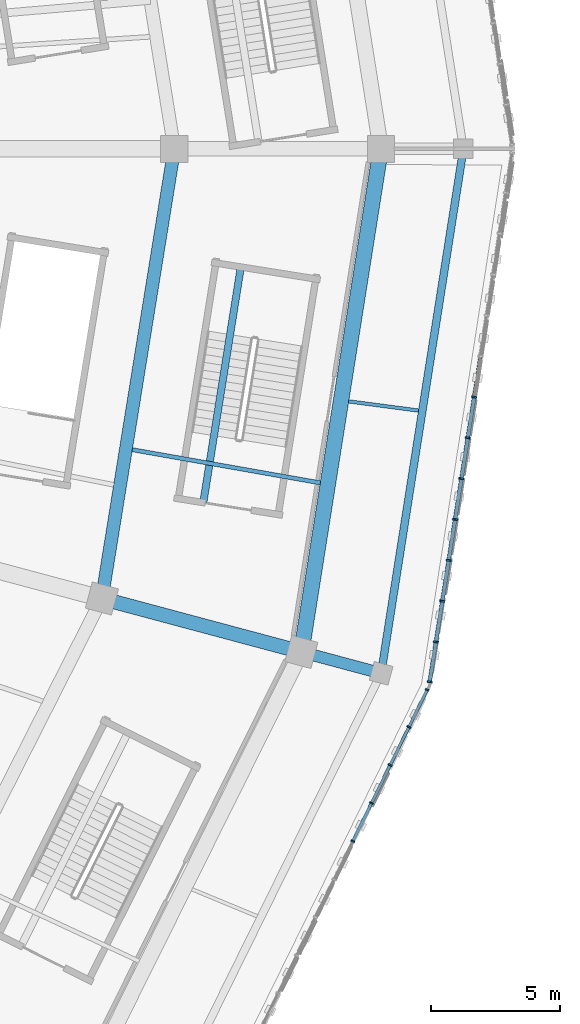
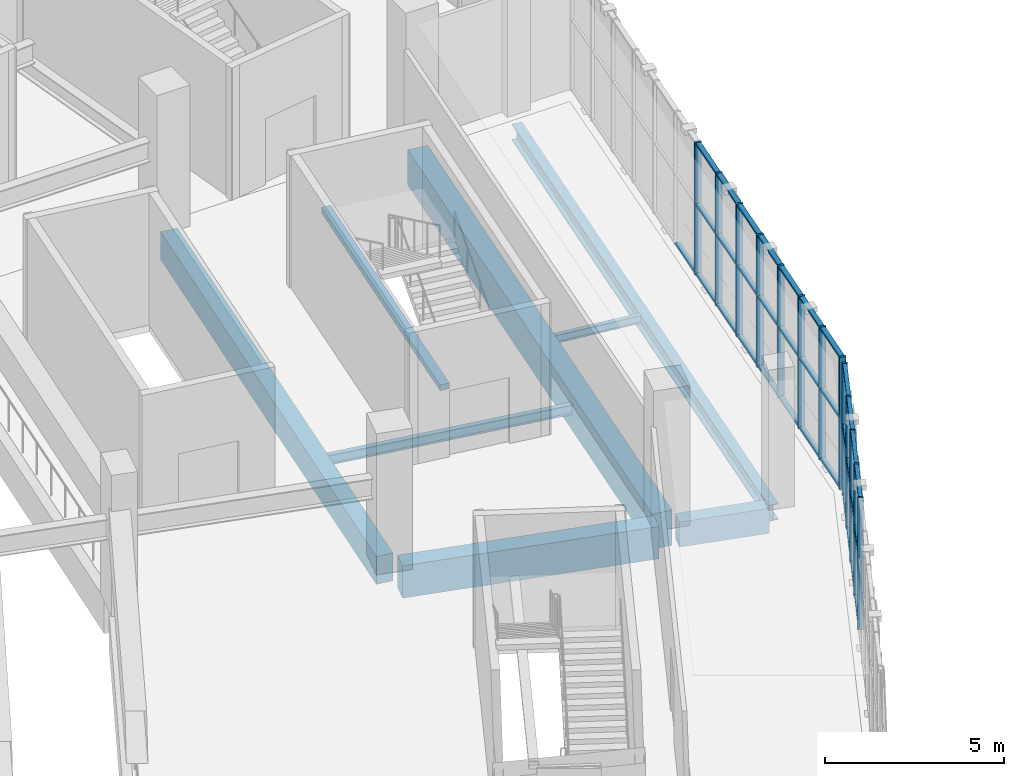
# One storey, part 41 of 179: 47 members, 8 beams, 2 elements without a shape of their own.
"""IFC4 building model written with IfcOpenShell, lengths in metres."""

from ifc_helpers import new_model, si_unit, direction, frame, origin, origin_2d, place, context, subcontext, project, spatial, rectangle, i_section, extrude, material, material_profile, profile_set, type_object, element, aggregate, save


model = new_model("IFC4")

# Units and contexts
model_context = context("Model", 3, precision=1e-05, world=origin(), true_north=direction((0.0, 1.0)))
body_context = subcontext(model_context, "Body", "Model", "MODEL_VIEW")
ifc_project = project(units=[si_unit("LENGTHUNIT", "METRE"), si_unit("AREAUNIT", "SQUARE_METRE"), si_unit("VOLUMEUNIT", "CUBIC_METRE"), si_unit("PLANEANGLEUNIT", "RADIAN"), si_unit("MASSUNIT", "GRAM", prefix="KILO")], contexts=[model_context])

# Site, building, storey
site_placement = place(None, origin())
site = spatial("IfcSite", under=ifc_project, at=site_placement, CompositionType="ELEMENT")
building_placement = place(site_placement, origin())
building = spatial("IfcBuilding", under=site, at=building_placement, Name="Zevraka Park Crest Stadium", CompositionType="ELEMENT")
storey_placement = place(building_placement, frame((0.0, 0.0, 10.199951171875)))
storey = spatial("IfcBuildingStorey", under=building, at=storey_placement, Name="L02", CompositionType="ELEMENT", Elevation=10.199951171875)

# Beams
ifc_material_1 = material(Name="Concrete C40/50", Category="concrete")
ifc_material_profile_1 = material_profile(ifc_material_1, rectangle(XDim=0.550048828125, YDim=1.10009765625, at=origin_2d()), Name="RC 1100x550")
ifc_profile_set_1 = profile_set([ifc_material_profile_1], Name="Concrete C40/50")
beam_type_1 = type_object("IfcBeamType", Name="BG02", PredefinedType="BEAM", material=ifc_profile_set_1)
beam_1_placement = place(storey_placement, frame((191.785888671875, 74.5029296875, -0.56005859375), z_axis=(0.965968812251, -0.258658565986, 0.0), x_axis=(0.258658565986, 0.965968812251, 0.0)))
element("IfcBeam", 1, at=beam_1_placement, inside=storey, type_object=beam_type_1, Name="Radial Girder BG02 L02-CD-23", PredefinedType="BEAM", context=body_context, shape_type="SweptSolid", body=[
    extrude(rectangle(XDim=0.550048828125, YDim=1.10009765625, at=origin_2d()), origin(), (0.0, 0.0, 1.0), 7.39892578125),
])
ifc_material_2 = material(Name="Concrete C40/50", Category="concrete")
ifc_material_profile_2 = material_profile(ifc_material_2, rectangle(XDim=0.449951171875, YDim=0.85009765625, at=origin_2d()), Name="RC 850x450")
ifc_profile_set_2 = profile_set([ifc_material_profile_2], Name="Concrete C40/50")
beam_type_2 = type_object("IfcBeamType", Name="BG03", PredefinedType="BEAM", material=ifc_profile_set_2)
beam_2_placement = place(storey_placement, frame((199.512939453125, 72.43310546875, -0.43505859375), z_axis=(0.965992888406, -0.258568636051, 0.0), x_axis=(0.258568636051, 0.965992888406, 0.0)))
element("IfcBeam", 2, at=beam_2_placement, inside=storey, type_object=beam_type_2, Name="Radial Girder BG03 L02-DE-23", PredefinedType="BEAM", context=body_context, shape_type="SweptSolid", body=[
    extrude(rectangle(XDim=0.449951171875, YDim=0.85009765625, at=origin_2d()), origin(), (0.0, 0.0, 1.0), 2.599365234375),
])

# Curtain wall, members
ifc_material_3 = material(Name="Anodised architectural aluminium and laminated safety glass", Category="aluminium")
curtain_wall_type_1 = type_object("IfcCurtainWallType", Name="CW07", PredefinedType="NOTDEFINED", material=ifc_material_3)
curtain_wall_1_placement = place(storey_placement, origin())
curtain_wall_1 = element("IfcCurtainWall", 3, at=curtain_wall_1_placement, inside=storey, type_object=curtain_wall_type_1, Name="Unitised Ring Curtain Wall CW07 L02-22", PredefinedType="NOTDEFINED")
ifc_material_4 = material(Name="Anodised architectural aluminium", Category="aluminium")
ifc_material_profile_3 = material_profile(ifc_material_4, rectangle(XDim=0.159912109375, YDim=0.06005859375, at=origin_2d()), Name="ALU MULLION 160x60")
ifc_profile_set_3 = profile_set([ifc_material_profile_3], Name="Anodised architectural aluminium")
member_type_1 = type_object("IfcMemberType", Name="CM01", PredefinedType="MULLION", material=ifc_profile_set_3)
member_1_placement = place(storey_placement, frame((201.21435546875, 65.178466796875, 0.0), z_axis=(0.0, 0.0, 1.0), x_axis=(-0.897496768201, 0.441021032455, 0.0)))
member_1 = element("IfcMember", 4, at=member_1_placement, type_object=member_type_1, Name="CW07 mullion 10", PredefinedType="MULLION", context=body_context, shape_type="SweptSolid", body=[
    extrude(rectangle(XDim=0.159912109375, YDim=0.06005859375, at=origin_2d()), origin(), (0.0, 0.0, 1.0), 4.5),
])
member_2_placement = place(storey_placement, frame((201.93896484375, 66.652587890625, 0.0), z_axis=(0.0, 0.0, 1.0), x_axis=(-0.897496768201, 0.441021032455, 0.0)))
member_2 = element("IfcMember", 5, at=member_2_placement, type_object=member_type_1, Name="CW07 mullion 11", PredefinedType="MULLION", context=body_context, shape_type="SweptSolid", body=[
    extrude(rectangle(XDim=0.159912109375, YDim=0.06005859375, at=origin_2d()), origin(), (0.0, 0.0, 1.0), 4.5),
])
member_3_placement = place(storey_placement, frame((202.663330078125, 68.126708984375, 0.0), z_axis=(0.0, 0.0, 1.0), x_axis=(-0.897496768201, 0.441021032455, 0.0)))
member_3 = element("IfcMember", 6, at=member_3_placement, type_object=member_type_1, Name="CW07 mullion 12", PredefinedType="MULLION", context=body_context, shape_type="SweptSolid", body=[
    extrude(rectangle(XDim=0.159912109375, YDim=0.06005859375, at=origin_2d()), origin(), (0.0, 0.0, 1.0), 4.5),
])
member_4_placement = place(storey_placement, frame((203.3876953125, 69.600830078125, 0.0), z_axis=(0.0, 0.0, 1.0), x_axis=(-0.897496768201, 0.441021032455, 0.0)))
member_4 = element("IfcMember", 7, at=member_4_placement, type_object=member_type_1, Name="CW07 mullion 13", PredefinedType="MULLION", context=body_context, shape_type="SweptSolid", body=[
    extrude(rectangle(XDim=0.159912109375, YDim=0.06005859375, at=origin_2d()), origin(), (0.0, 0.0, 1.0), 4.5),
])
member_5_placement = place(storey_placement, frame((204.098876953125, 71.048095703125, 0.0), z_axis=(0.0, 0.0, 1.0), x_axis=(-0.897496768201, 0.441021032455, 0.0)))
member_5 = element("IfcMember", 8, at=member_5_placement, type_object=member_type_1, Name="CW07 mullion 14", PredefinedType="MULLION", context=body_context, shape_type="SweptSolid", body=[
    extrude(rectangle(XDim=0.159912109375, YDim=0.06005859375, at=origin_2d()), origin(), (0.0, 0.0, 1.0), 4.5),
])

ifc_material_5 = material(Name="Anodised architectural aluminium and laminated safety glass", Category="aluminium")
curtain_wall_type_2 = type_object("IfcCurtainWallType", Name="CW06", PredefinedType="NOTDEFINED", material=ifc_material_5)
curtain_wall_2_placement = place(storey_placement, origin())
curtain_wall_2 = element("IfcCurtainWall", 9, at=curtain_wall_2_placement, inside=storey, type_object=curtain_wall_type_2, Name="Unitised Ring Curtain Wall CW06 L02-23", PredefinedType="NOTDEFINED")
ifc_material_6 = material(Name="Anodised architectural aluminium", Category="aluminium")
ifc_material_profile_4 = material_profile(ifc_material_6, rectangle(XDim=0.199951171875, YDim=0.070068359375, at=origin_2d()), Name="ALU MULLION 200x70")
ifc_profile_set_4 = profile_set([ifc_material_profile_4], Name="Anodised architectural aluminium")
member_type_2 = type_object("IfcMemberType", Name="CM03", PredefinedType="MULLION", material=ifc_profile_set_4)
member_6_placement = place(storey_placement, frame((204.1943359375, 71.3505859375, 0.0), z_axis=(0.0, 0.0, 1.0), x_axis=(-0.988028063865, 0.154274252598, 0.0)))
member_6 = element("IfcMember", 10, at=member_6_placement, type_object=member_type_2, Name="CW06 mullion 1", PredefinedType="MULLION", context=body_context, shape_type="SweptSolid", body=[
    extrude(rectangle(XDim=0.199951171875, YDim=0.070068359375, at=origin_2d()), origin(), (0.0, 0.0, 1.0), 4.5),
])
member_7_placement = place(storey_placement, frame((204.43603515625, 72.8974609375, 0.0), z_axis=(0.0, 0.0, 1.0), x_axis=(-0.988028063865, 0.154274252598, 0.0)))
member_7 = element("IfcMember", 11, at=member_7_placement, type_object=member_type_2, Name="CW06 mullion 2", PredefinedType="MULLION", context=body_context, shape_type="SweptSolid", body=[
    extrude(rectangle(XDim=0.199951171875, YDim=0.070068359375, at=origin_2d()), origin(), (0.0, 0.0, 1.0), 4.5),
])
member_8_placement = place(storey_placement, frame((204.682861328125, 74.478759765625, 0.0), z_axis=(0.0, 0.0, 1.0), x_axis=(-0.988028063865, 0.154274252598, 0.0)))
member_8 = element("IfcMember", 12, at=member_8_placement, type_object=member_type_2, Name="CW06 mullion 3", PredefinedType="MULLION", context=body_context, shape_type="SweptSolid", body=[
    extrude(rectangle(XDim=0.199951171875, YDim=0.070068359375, at=origin_2d()), origin(), (0.0, 0.0, 1.0), 4.5),
])
member_9_placement = place(storey_placement, frame((204.9296875, 76.06005859375, 0.0), z_axis=(0.0, 0.0, 1.0), x_axis=(-0.988028063865, 0.154274252598, 0.0)))
member_9 = element("IfcMember", 13, at=member_9_placement, type_object=member_type_2, Name="CW06 mullion 4", PredefinedType="MULLION", context=body_context, shape_type="SweptSolid", body=[
    extrude(rectangle(XDim=0.199951171875, YDim=0.070068359375, at=origin_2d()), origin(), (0.0, 0.0, 1.0), 4.5),
])
member_10_placement = place(storey_placement, frame((205.1767578125, 77.6416015625, 0.0), z_axis=(0.0, 0.0, 1.0), x_axis=(-0.988028063865, 0.154274252598, 0.0)))
member_10 = element("IfcMember", 14, at=member_10_placement, type_object=member_type_2, Name="CW06 mullion 5", PredefinedType="MULLION", context=body_context, shape_type="SweptSolid", body=[
    extrude(rectangle(XDim=0.199951171875, YDim=0.070068359375, at=origin_2d()), origin(), (0.0, 0.0, 1.0), 4.5),
])
member_11_placement = place(storey_placement, frame((205.423583984375, 79.222900390625, 0.0), z_axis=(0.0, 0.0, 1.0), x_axis=(-0.988028063865, 0.154274252598, 0.0)))
member_11 = element("IfcMember", 15, at=member_11_placement, type_object=member_type_2, Name="CW06 mullion 6", PredefinedType="MULLION", context=body_context, shape_type="SweptSolid", body=[
    extrude(rectangle(XDim=0.199951171875, YDim=0.070068359375, at=origin_2d()), origin(), (0.0, 0.0, 1.0), 4.5),
])
member_12_placement = place(storey_placement, frame((205.670654296875, 80.80419921875, 0.0), z_axis=(0.0, 0.0, 1.0), x_axis=(-0.988028063865, 0.154274252598, 0.0)))
member_12 = element("IfcMember", 16, at=member_12_placement, type_object=member_type_2, Name="CW06 mullion 7", PredefinedType="MULLION", context=body_context, shape_type="SweptSolid", body=[
    extrude(rectangle(XDim=0.199951171875, YDim=0.070068359375, at=origin_2d()), origin(), (0.0, 0.0, 1.0), 4.5),
])
member_13_placement = place(storey_placement, frame((205.91748046875, 82.3857421875, 0.0), z_axis=(0.0, 0.0, 1.0), x_axis=(-0.988028063865, 0.154274252598, 0.0)))
member_13 = element("IfcMember", 17, at=member_13_placement, type_object=member_type_2, Name="CW06 mullion 8", PredefinedType="MULLION", context=body_context, shape_type="SweptSolid", body=[
    extrude(rectangle(XDim=0.199951171875, YDim=0.070068359375, at=origin_2d()), origin(), (0.0, 0.0, 1.0), 4.5),
])

# Member
ifc_material_7 = material(Name="Anodised architectural aluminium", Category="aluminium")
ifc_material_profile_5 = material_profile(ifc_material_7, rectangle(XDim=0.1201171875, YDim=0.06005859375, at=origin_2d()), Name="ALU TRANSOM 120x60")
ifc_profile_set_5 = profile_set([ifc_material_profile_5], Name="Anodised architectural aluminium")
member_type_3 = type_object("IfcMemberType", Name="CT01", PredefinedType="USERDEFINED", material=ifc_profile_set_5)
member_14_placement = place(storey_placement, frame((201.227783203125, 65.205322265625, 0.030029296875), z_axis=(0.440908240413, 0.897552184297, 0.0), x_axis=(-0.897552184297, 0.440908240413, 0.0)))
member_14 = element("IfcMember", 18, at=member_14_placement, type_object=member_type_3, Name="CW07 transom 10.1", ObjectType="TRANSOM", PredefinedType="USERDEFINED", context=body_context, shape_type="SweptSolid", body=[
    extrude(rectangle(XDim=0.1201171875, YDim=0.06005859375, at=origin_2d()), origin(), (0.0, 0.0, 1.0), 1.58251953125),
])

member_15_placement = place(storey_placement, frame((201.227783203125, 65.205322265625, 2.400146484375), z_axis=(0.440908240413, 0.897552184297, 0.0), x_axis=(-0.897552184297, 0.440908240413, 0.0)))
member_15 = element("IfcMember", 19, at=member_15_placement, type_object=member_type_3, Name="CW07 transom 10.2", ObjectType="TRANSOM", PredefinedType="USERDEFINED", context=body_context, shape_type="SweptSolid", body=[
    extrude(rectangle(XDim=0.1201171875, YDim=0.06005859375, at=origin_2d()), origin(), (0.0, 0.0, 1.0), 1.58251953125),
])

member_16_placement = place(storey_placement, frame((201.227783203125, 65.205322265625, 4.469970703125), z_axis=(0.440908240413, 0.897552184297, 0.0), x_axis=(-0.897552184297, 0.440908240413, 0.0)))
member_16 = element("IfcMember", 20, at=member_16_placement, type_object=member_type_3, Name="CW07 transom 10.3", ObjectType="TRANSOM", PredefinedType="USERDEFINED", context=body_context, shape_type="SweptSolid", body=[
    extrude(rectangle(XDim=0.1201171875, YDim=0.06005859375, at=origin_2d()), origin(), (0.0, 0.0, 1.0), 1.58251953125),
])

member_17_placement = place(storey_placement, frame((201.9521484375, 66.679443359375, 0.030029296875), z_axis=(0.440908240413, 0.897552184297, 0.0), x_axis=(-0.897552184297, 0.440908240413, 0.0)))
member_17 = element("IfcMember", 21, at=member_17_placement, type_object=member_type_3, Name="CW07 transom 11.1", ObjectType="TRANSOM", PredefinedType="USERDEFINED", context=body_context, shape_type="SweptSolid", body=[
    extrude(rectangle(XDim=0.1201171875, YDim=0.06005859375, at=origin_2d()), origin(), (0.0, 0.0, 1.0), 1.58251953125),
])

member_18_placement = place(storey_placement, frame((201.9521484375, 66.679443359375, 2.400146484375), z_axis=(0.440908240413, 0.897552184297, 0.0), x_axis=(-0.897552184297, 0.440908240413, 0.0)))
member_18 = element("IfcMember", 22, at=member_18_placement, type_object=member_type_3, Name="CW07 transom 11.2", ObjectType="TRANSOM", PredefinedType="USERDEFINED", context=body_context, shape_type="SweptSolid", body=[
    extrude(rectangle(XDim=0.1201171875, YDim=0.06005859375, at=origin_2d()), origin(), (0.0, 0.0, 1.0), 1.58251953125),
])

member_19_placement = place(storey_placement, frame((201.9521484375, 66.679443359375, 4.469970703125), z_axis=(0.440908240413, 0.897552184297, 0.0), x_axis=(-0.897552184297, 0.440908240413, 0.0)))
member_19 = element("IfcMember", 23, at=member_19_placement, type_object=member_type_3, Name="CW07 transom 11.3", ObjectType="TRANSOM", PredefinedType="USERDEFINED", context=body_context, shape_type="SweptSolid", body=[
    extrude(rectangle(XDim=0.1201171875, YDim=0.06005859375, at=origin_2d()), origin(), (0.0, 0.0, 1.0), 1.58251953125),
])

member_20_placement = place(storey_placement, frame((202.676513671875, 68.153564453125, 0.030029296875), z_axis=(0.440908240413, 0.897552184297, 0.0), x_axis=(-0.897552184297, 0.440908240413, 0.0)))
member_20 = element("IfcMember", 24, at=member_20_placement, type_object=member_type_3, Name="CW07 transom 12.1", ObjectType="TRANSOM", PredefinedType="USERDEFINED", context=body_context, shape_type="SweptSolid", body=[
    extrude(rectangle(XDim=0.1201171875, YDim=0.06005859375, at=origin_2d()), origin(), (0.0, 0.0, 1.0), 1.58251953125),
])

member_21_placement = place(storey_placement, frame((202.676513671875, 68.153564453125, 2.400146484375), z_axis=(0.440908240413, 0.897552184297, 0.0), x_axis=(-0.897552184297, 0.440908240413, 0.0)))
member_21 = element("IfcMember", 25, at=member_21_placement, type_object=member_type_3, Name="CW07 transom 12.2", ObjectType="TRANSOM", PredefinedType="USERDEFINED", context=body_context, shape_type="SweptSolid", body=[
    extrude(rectangle(XDim=0.1201171875, YDim=0.06005859375, at=origin_2d()), origin(), (0.0, 0.0, 1.0), 1.58251953125),
])

member_22_placement = place(storey_placement, frame((202.676513671875, 68.153564453125, 4.469970703125), z_axis=(0.440908240413, 0.897552184297, 0.0), x_axis=(-0.897552184297, 0.440908240413, 0.0)))
member_22 = element("IfcMember", 26, at=member_22_placement, type_object=member_type_3, Name="CW07 transom 12.3", ObjectType="TRANSOM", PredefinedType="USERDEFINED", context=body_context, shape_type="SweptSolid", body=[
    extrude(rectangle(XDim=0.1201171875, YDim=0.06005859375, at=origin_2d()), origin(), (0.0, 0.0, 1.0), 1.58251953125),
])

member_23_placement = place(storey_placement, frame((203.40087890625, 69.627685546875, 0.030029296875), z_axis=(0.440912769213, 0.897549959582, 0.0), x_axis=(-0.897549959582, 0.440912769213, 0.0)))
member_23 = element("IfcMember", 27, at=member_23_placement, type_object=member_type_3, Name="CW07 transom 13.1", ObjectType="TRANSOM", PredefinedType="USERDEFINED", context=body_context, shape_type="SweptSolid", body=[
    extrude(rectangle(XDim=0.1201171875, YDim=0.06005859375, at=origin_2d()), origin(), (0.0, 0.0, 1.0), 1.552734375),
])

member_24_placement = place(storey_placement, frame((203.40087890625, 69.627685546875, 2.400146484375), z_axis=(0.440912769213, 0.897549959582, 0.0), x_axis=(-0.897549959582, 0.440912769213, 0.0)))
member_24 = element("IfcMember", 28, at=member_24_placement, type_object=member_type_3, Name="CW07 transom 13.2", ObjectType="TRANSOM", PredefinedType="USERDEFINED", context=body_context, shape_type="SweptSolid", body=[
    extrude(rectangle(XDim=0.1201171875, YDim=0.06005859375, at=origin_2d()), origin(), (0.0, 0.0, 1.0), 1.552734375),
])

member_25_placement = place(storey_placement, frame((203.40087890625, 69.627685546875, 4.469970703125), z_axis=(0.440912769213, 0.897549959582, 0.0), x_axis=(-0.897549959582, 0.440912769213, 0.0)))
member_25 = element("IfcMember", 29, at=member_25_placement, type_object=member_type_3, Name="CW07 transom 13.3", ObjectType="TRANSOM", PredefinedType="USERDEFINED", context=body_context, shape_type="SweptSolid", body=[
    extrude(rectangle(XDim=0.1201171875, YDim=0.06005859375, at=origin_2d()), origin(), (0.0, 0.0, 1.0), 1.552734375),
])

aggregate(curtain_wall_1, [member_1, member_2, member_3, member_4, member_5, member_14, member_15, member_16, member_17, member_18, member_19, member_20, member_21, member_22, member_23, member_24, member_25])

ifc_material_8 = material(Name="Anodised architectural aluminium", Category="aluminium")
ifc_material_profile_6 = material_profile(ifc_material_8, rectangle(XDim=0.14990234375, YDim=0.070068359375, at=origin_2d()), Name="ALU TRANSOM 150x70")
ifc_profile_set_6 = profile_set([ifc_material_profile_6], Name="Anodised architectural aluminium")
member_type_4 = type_object("IfcMemberType", Name="CT03", PredefinedType="USERDEFINED", material=ifc_profile_set_6)
member_26_placement = place(storey_placement, frame((204.19970703125, 71.38525390625, 0.03515625), z_axis=(0.15427727598, 0.988027591779, 0.0), x_axis=(-0.988027591779, 0.15427727598, 0.0)))
member_26 = element("IfcMember", 30, at=member_26_placement, type_object=member_type_4, Name="CW06 transom 1.1", ObjectType="TRANSOM", PredefinedType="USERDEFINED", context=body_context, shape_type="SweptSolid", body=[
    extrude(rectangle(XDim=0.14990234375, YDim=0.070068359375, at=origin_2d()), origin(), (0.0, 0.0, 1.0), 1.495361328125),
])

member_27_placement = place(storey_placement, frame((204.19970703125, 71.38525390625, 2.400146484375), z_axis=(0.15427727598, 0.988027591779, 0.0), x_axis=(-0.988027591779, 0.15427727598, 0.0)))
member_27 = element("IfcMember", 31, at=member_27_placement, type_object=member_type_4, Name="CW06 transom 1.2", ObjectType="TRANSOM", PredefinedType="USERDEFINED", context=body_context, shape_type="SweptSolid", body=[
    extrude(rectangle(XDim=0.14990234375, YDim=0.070068359375, at=origin_2d()), origin(), (0.0, 0.0, 1.0), 1.495361328125),
])

member_28_placement = place(storey_placement, frame((204.19970703125, 71.38525390625, 4.465087890625), z_axis=(0.15427727598, 0.988027591779, 0.0), x_axis=(-0.988027591779, 0.15427727598, 0.0)))
member_28 = element("IfcMember", 32, at=member_28_placement, type_object=member_type_4, Name="CW06 transom 1.3", ObjectType="TRANSOM", PredefinedType="USERDEFINED", context=body_context, shape_type="SweptSolid", body=[
    extrude(rectangle(XDim=0.14990234375, YDim=0.070068359375, at=origin_2d()), origin(), (0.0, 0.0, 1.0), 1.495361328125),
])

member_29_placement = place(storey_placement, frame((204.44140625, 72.931884765625, 0.03515625), z_axis=(0.154250362395, 0.988031793872, 0.0), x_axis=(-0.988031793872, 0.154250362395, 0.0)))
member_29 = element("IfcMember", 33, at=member_29_placement, type_object=member_type_4, Name="CW06 transom 2.1", ObjectType="TRANSOM", PredefinedType="USERDEFINED", context=body_context, shape_type="SweptSolid", body=[
    extrude(rectangle(XDim=0.14990234375, YDim=0.070068359375, at=origin_2d()), origin(), (0.0, 0.0, 1.0), 1.530517578125),
])

member_30_placement = place(storey_placement, frame((204.44140625, 72.931884765625, 2.400146484375), z_axis=(0.154250362395, 0.988031793872, 0.0), x_axis=(-0.988031793872, 0.154250362395, 0.0)))
member_30 = element("IfcMember", 34, at=member_30_placement, type_object=member_type_4, Name="CW06 transom 2.2", ObjectType="TRANSOM", PredefinedType="USERDEFINED", context=body_context, shape_type="SweptSolid", body=[
    extrude(rectangle(XDim=0.14990234375, YDim=0.070068359375, at=origin_2d()), origin(), (0.0, 0.0, 1.0), 1.530517578125),
])

member_31_placement = place(storey_placement, frame((204.44140625, 72.931884765625, 4.465087890625), z_axis=(0.154250362395, 0.988031793872, 0.0), x_axis=(-0.988031793872, 0.154250362395, 0.0)))
member_31 = element("IfcMember", 35, at=member_31_placement, type_object=member_type_4, Name="CW06 transom 2.3", ObjectType="TRANSOM", PredefinedType="USERDEFINED", context=body_context, shape_type="SweptSolid", body=[
    extrude(rectangle(XDim=0.14990234375, YDim=0.070068359375, at=origin_2d()), origin(), (0.0, 0.0, 1.0), 1.530517578125),
])

member_32_placement = place(storey_placement, frame((204.688232421875, 74.513427734375, 0.03515625), z_axis=(0.154250362395, 0.988031793872, 0.0), x_axis=(-0.988031793872, 0.154250362395, 0.0)))
member_32 = element("IfcMember", 36, at=member_32_placement, type_object=member_type_4, Name="CW06 transom 3.1", ObjectType="TRANSOM", PredefinedType="USERDEFINED", context=body_context, shape_type="SweptSolid", body=[
    extrude(rectangle(XDim=0.14990234375, YDim=0.070068359375, at=origin_2d()), origin(), (0.0, 0.0, 1.0), 1.530517578125),
])

member_33_placement = place(storey_placement, frame((204.688232421875, 74.513427734375, 2.400146484375), z_axis=(0.154250362395, 0.988031793872, 0.0), x_axis=(-0.988031793872, 0.154250362395, 0.0)))
member_33 = element("IfcMember", 37, at=member_33_placement, type_object=member_type_4, Name="CW06 transom 3.2", ObjectType="TRANSOM", PredefinedType="USERDEFINED", context=body_context, shape_type="SweptSolid", body=[
    extrude(rectangle(XDim=0.14990234375, YDim=0.070068359375, at=origin_2d()), origin(), (0.0, 0.0, 1.0), 1.530517578125),
])

member_34_placement = place(storey_placement, frame((204.688232421875, 74.513427734375, 4.465087890625), z_axis=(0.154250362395, 0.988031793872, 0.0), x_axis=(-0.988031793872, 0.154250362395, 0.0)))
member_34 = element("IfcMember", 38, at=member_34_placement, type_object=member_type_4, Name="CW06 transom 3.3", ObjectType="TRANSOM", PredefinedType="USERDEFINED", context=body_context, shape_type="SweptSolid", body=[
    extrude(rectangle(XDim=0.14990234375, YDim=0.070068359375, at=origin_2d()), origin(), (0.0, 0.0, 1.0), 1.530517578125),
])

member_35_placement = place(storey_placement, frame((204.93505859375, 76.0947265625, 0.03515625), z_axis=(0.154406075629, 0.988007471535, 0.0), x_axis=(-0.988007471535, 0.154406075629, 0.0)))
member_35 = element("IfcMember", 39, at=member_35_placement, type_object=member_type_4, Name="CW06 transom 4.1", ObjectType="TRANSOM", PredefinedType="USERDEFINED", context=body_context, shape_type="SweptSolid", body=[
    extrude(rectangle(XDim=0.14990234375, YDim=0.070068359375, at=origin_2d()), origin(), (0.0, 0.0, 1.0), 1.530517578125),
])

member_36_placement = place(storey_placement, frame((204.93505859375, 76.0947265625, 2.400146484375), z_axis=(0.154406075629, 0.988007471535, 0.0), x_axis=(-0.988007471535, 0.154406075629, 0.0)))
member_36 = element("IfcMember", 40, at=member_36_placement, type_object=member_type_4, Name="CW06 transom 4.2", ObjectType="TRANSOM", PredefinedType="USERDEFINED", context=body_context, shape_type="SweptSolid", body=[
    extrude(rectangle(XDim=0.14990234375, YDim=0.070068359375, at=origin_2d()), origin(), (0.0, 0.0, 1.0), 1.530517578125),
])

member_37_placement = place(storey_placement, frame((204.93505859375, 76.0947265625, 4.465087890625), z_axis=(0.154406075629, 0.988007471535, 0.0), x_axis=(-0.988007471535, 0.154406075629, 0.0)))
member_37 = element("IfcMember", 41, at=member_37_placement, type_object=member_type_4, Name="CW06 transom 4.3", ObjectType="TRANSOM", PredefinedType="USERDEFINED", context=body_context, shape_type="SweptSolid", body=[
    extrude(rectangle(XDim=0.14990234375, YDim=0.070068359375, at=origin_2d()), origin(), (0.0, 0.0, 1.0), 1.530517578125),
])

member_38_placement = place(storey_placement, frame((205.18212890625, 77.676025390625, 0.03515625), z_axis=(0.154250362395, 0.988031793872, 0.0), x_axis=(-0.988031793872, 0.154250362395, 0.0)))
member_38 = element("IfcMember", 42, at=member_38_placement, type_object=member_type_4, Name="CW06 transom 5.1", ObjectType="TRANSOM", PredefinedType="USERDEFINED", context=body_context, shape_type="SweptSolid", body=[
    extrude(rectangle(XDim=0.14990234375, YDim=0.070068359375, at=origin_2d()), origin(), (0.0, 0.0, 1.0), 1.530517578125),
])

member_39_placement = place(storey_placement, frame((205.18212890625, 77.676025390625, 2.400146484375), z_axis=(0.154250362395, 0.988031793872, 0.0), x_axis=(-0.988031793872, 0.154250362395, 0.0)))
member_39 = element("IfcMember", 43, at=member_39_placement, type_object=member_type_4, Name="CW06 transom 5.2", ObjectType="TRANSOM", PredefinedType="USERDEFINED", context=body_context, shape_type="SweptSolid", body=[
    extrude(rectangle(XDim=0.14990234375, YDim=0.070068359375, at=origin_2d()), origin(), (0.0, 0.0, 1.0), 1.530517578125),
])

member_40_placement = place(storey_placement, frame((205.18212890625, 77.676025390625, 4.465087890625), z_axis=(0.154250362395, 0.988031793872, 0.0), x_axis=(-0.988031793872, 0.154250362395, 0.0)))
member_40 = element("IfcMember", 44, at=member_40_placement, type_object=member_type_4, Name="CW06 transom 5.3", ObjectType="TRANSOM", PredefinedType="USERDEFINED", context=body_context, shape_type="SweptSolid", body=[
    extrude(rectangle(XDim=0.14990234375, YDim=0.070068359375, at=origin_2d()), origin(), (0.0, 0.0, 1.0), 1.530517578125),
])

member_41_placement = place(storey_placement, frame((205.428955078125, 79.257568359375, 0.03515625), z_axis=(0.154250362395, 0.988031793872, 0.0), x_axis=(-0.988031793872, 0.154250362395, 0.0)))
member_41 = element("IfcMember", 45, at=member_41_placement, type_object=member_type_4, Name="CW06 transom 6.1", ObjectType="TRANSOM", PredefinedType="USERDEFINED", context=body_context, shape_type="SweptSolid", body=[
    extrude(rectangle(XDim=0.14990234375, YDim=0.070068359375, at=origin_2d()), origin(), (0.0, 0.0, 1.0), 1.530517578125),
])

member_42_placement = place(storey_placement, frame((205.428955078125, 79.257568359375, 2.400146484375), z_axis=(0.154250362395, 0.988031793872, 0.0), x_axis=(-0.988031793872, 0.154250362395, 0.0)))
member_42 = element("IfcMember", 46, at=member_42_placement, type_object=member_type_4, Name="CW06 transom 6.2", ObjectType="TRANSOM", PredefinedType="USERDEFINED", context=body_context, shape_type="SweptSolid", body=[
    extrude(rectangle(XDim=0.14990234375, YDim=0.070068359375, at=origin_2d()), origin(), (0.0, 0.0, 1.0), 1.530517578125),
])

member_43_placement = place(storey_placement, frame((205.428955078125, 79.257568359375, 4.465087890625), z_axis=(0.154250362395, 0.988031793872, 0.0), x_axis=(-0.988031793872, 0.154250362395, 0.0)))
member_43 = element("IfcMember", 47, at=member_43_placement, type_object=member_type_4, Name="CW06 transom 6.3", ObjectType="TRANSOM", PredefinedType="USERDEFINED", context=body_context, shape_type="SweptSolid", body=[
    extrude(rectangle(XDim=0.14990234375, YDim=0.070068359375, at=origin_2d()), origin(), (0.0, 0.0, 1.0), 1.530517578125),
])

member_44_placement = place(storey_placement, frame((205.676025390625, 80.8388671875, 0.03515625), z_axis=(0.154250362395, 0.988031793872, 0.0), x_axis=(-0.988031793872, 0.154250362395, 0.0)))
member_44 = element("IfcMember", 48, at=member_44_placement, type_object=member_type_4, Name="CW06 transom 7.1", ObjectType="TRANSOM", PredefinedType="USERDEFINED", context=body_context, shape_type="SweptSolid", body=[
    extrude(rectangle(XDim=0.14990234375, YDim=0.070068359375, at=origin_2d()), origin(), (0.0, 0.0, 1.0), 1.530517578125),
])

member_45_placement = place(storey_placement, frame((205.676025390625, 80.8388671875, 2.400146484375), z_axis=(0.154250362395, 0.988031793872, 0.0), x_axis=(-0.988031793872, 0.154250362395, 0.0)))
member_45 = element("IfcMember", 49, at=member_45_placement, type_object=member_type_4, Name="CW06 transom 7.2", ObjectType="TRANSOM", PredefinedType="USERDEFINED", context=body_context, shape_type="SweptSolid", body=[
    extrude(rectangle(XDim=0.14990234375, YDim=0.070068359375, at=origin_2d()), origin(), (0.0, 0.0, 1.0), 1.530517578125),
])

member_46_placement = place(storey_placement, frame((205.676025390625, 80.8388671875, 4.465087890625), z_axis=(0.154250362395, 0.988031793872, 0.0), x_axis=(-0.988031793872, 0.154250362395, 0.0)))
member_46 = element("IfcMember", 50, at=member_46_placement, type_object=member_type_4, Name="CW06 transom 7.3", ObjectType="TRANSOM", PredefinedType="USERDEFINED", context=body_context, shape_type="SweptSolid", body=[
    extrude(rectangle(XDim=0.14990234375, YDim=0.070068359375, at=origin_2d()), origin(), (0.0, 0.0, 1.0), 1.530517578125),
])

member_47_placement = place(storey_placement, frame((205.9228515625, 82.420166015625, 0.03515625), z_axis=(0.154226055514, 0.988035588327, 0.0), x_axis=(-0.988035588327, 0.154226055514, 0.0)))
member_47 = element("IfcMember", 51, at=member_47_placement, type_object=member_type_4, Name="CW06 transom 8.1", ObjectType="TRANSOM", PredefinedType="USERDEFINED", context=body_context, shape_type="SweptSolid", body=[
    extrude(rectangle(XDim=0.14990234375, YDim=0.070068359375, at=origin_2d()), origin(), (0.0, 0.0, 1.0), 1.53076171875),
])

aggregate(curtain_wall_2, [member_6, member_7, member_8, member_9, member_10, member_11, member_12, member_13, member_26, member_27, member_28, member_29, member_30, member_31, member_32, member_33, member_34, member_35, member_36, member_37, member_38, member_39, member_40, member_41, member_42, member_43, member_44, member_45, member_46, member_47])

# Beams
ifc_material_9 = material(Name="Concrete C40/50", Category="concrete")
ifc_material_profile_7 = material_profile(ifc_material_9, rectangle(XDim=0.60009765625, YDim=1.199951171875, at=origin_2d()), Name="RC 1200x600")
ifc_profile_set_7 = profile_set([ifc_material_profile_7], Name="Concrete C40/50")
beam_type_3 = type_object("IfcBeamType", Name="RB01", PredefinedType="BEAM", material=ifc_profile_set_7)
beam_3_placement = place(storey_placement, frame((199.281982421875, 72.885986328125, -0.60986328125), z_axis=(0.155972486086, 0.987761400129, 0.0), x_axis=(-0.987761400129, 0.155972486086, 0.0)))
element("IfcBeam", 52, at=beam_3_placement, inside=storey, type_object=beam_type_3, Name="Ring Beam RB01 L02-D-23", PredefinedType="BEAM", context=body_context, shape_type="SweptSolid", body=[
    extrude(rectangle(XDim=0.60009765625, YDim=1.199951171875, at=origin_2d()), origin(), (0.0, 0.0, 1.0), 18.97119140625),
])
ifc_material_10 = material(Name="Concrete C40/50", Category="concrete")
ifc_material_profile_8 = material_profile(ifc_material_10, rectangle(XDim=0.5, YDim=0.949951171875, at=origin_2d()), Name="RC 950x500")
ifc_profile_set_8 = profile_set([ifc_material_profile_8], Name="Concrete C40/50")
beam_type_4 = type_object("IfcBeamType", Name="RB02", PredefinedType="BEAM", material=ifc_profile_set_8)
beam_4_placement = place(storey_placement, frame((191.555908203125, 74.9560546875, -0.48486328125), z_axis=(0.158975112778, 0.987282590507, 0.0), x_axis=(-0.987282590507, 0.158975112778, 0.0)))
element("IfcBeam", 53, at=beam_4_placement, inside=storey, type_object=beam_type_4, Name="Ring Beam RB02 L02-C-23", PredefinedType="BEAM", context=body_context, shape_type="SweptSolid", body=[
    extrude(rectangle(XDim=0.5, YDim=0.949951171875, at=origin_2d()), origin(), (0.0, 0.0, 1.0), 16.883544921875),
])
ifc_material_11 = material(Name="Steel S355", Category="steel")
ifc_material_profile_9 = material_profile(ifc_material_11, i_section(OverallWidth=0.300048828125, OverallDepth=0.550048828125, WebThickness=0.014892578125, FlangeThickness=0.029052734375, at=origin_2d()), Name="HEB 550")
ifc_profile_set_9 = profile_set([ifc_material_profile_9], Name="Steel S355")
beam_type_5 = type_object("IfcBeamType", Name="RB04", PredefinedType="BEAM", material=ifc_profile_set_9)
beam_5_placement = place(storey_placement, frame((202.367919921875, 72.029052734375, -0.5849609375), z_axis=(0.154952716421, 0.987921887435, 0.0), x_axis=(-0.987921887435, 0.154952716421, 0.0)))
element("IfcBeam", 54, at=beam_5_placement, inside=storey, type_object=beam_type_5, Name="Ring Beam RB04 L02-E-23", PredefinedType="BEAM", context=body_context, shape_type="SweptSolid", body=[
    extrude(i_section(OverallWidth=0.300048828125, OverallDepth=0.550048828125, WebThickness=0.014892578125, FlangeThickness=0.029052734375, at=origin_2d()), origin(), (0.0, 0.0, 1.0), 19.864990234375),
])
ifc_material_12 = material(Name="Steel S355", Category="steel")
ifc_material_profile_10 = material_profile(ifc_material_12, i_section(OverallWidth=0.135009765625, OverallDepth=0.27001953125, WebThickness=0.006591796875, FlangeThickness=0.01025390625, at=origin_2d()), Name="IPE 270")
ifc_profile_set_10 = profile_set([ifc_material_profile_10], Name="Steel S355")
beam_type_6 = type_object("IfcBeamType", Name="SJ07", PredefinedType="JOIST", material=ifc_profile_set_10)
beam_6_placement = place(storey_placement, frame((201.053955078125, 82.217041015625, -0.4228515625), z_axis=(0.991431166896, -0.130630169971, 0.0), x_axis=(0.130630169971, 0.991431166896, 0.0)))
element("IfcBeam", 55, at=beam_6_placement, inside=storey, type_object=beam_type_6, Name="Floor Joist SJ07 L02-DE-23-1", PredefinedType="JOIST", context=body_context, shape_type="SweptSolid", body=[
    extrude(i_section(OverallWidth=0.135009765625, OverallDepth=0.27001953125, WebThickness=0.006591796875, FlangeThickness=0.01025390625, at=origin_2d()), origin(), (0.0, 0.0, 1.0), 2.732421875),
])
ifc_material_13 = material(Name="Steel S355", Category="steel")
ifc_material_profile_11 = material_profile(ifc_material_13, i_section(OverallWidth=0.159912109375, OverallDepth=0.330078125, WebThickness=0.007568359375, FlangeThickness=0.011474609375, at=origin_2d()), Name="IPE 330")
ifc_profile_set_11 = profile_set([ifc_material_profile_11], Name="Steel S355")
beam_type_7 = type_object("IfcBeamType", Name="SJ08", PredefinedType="JOIST", material=ifc_profile_set_11)
beam_7_placement = place(storey_placement, frame((192.672119140625, 80.344970703125, -0.452880859375), z_axis=(0.984780236621, -0.17380415864, 0.0), x_axis=(0.17380415864, 0.984780236621, 0.0)))
element("IfcBeam", 56, at=beam_7_placement, inside=storey, type_object=beam_type_7, Name="Floor Joist SJ08 L02-CD-23-1", PredefinedType="JOIST", context=body_context, shape_type="SweptSolid", body=[
    extrude(i_section(OverallWidth=0.159912109375, OverallDepth=0.330078125, WebThickness=0.007568359375, FlangeThickness=0.011474609375, at=origin_2d()), origin(), (0.0, 0.0, 1.0), 7.3984375),
])
ifc_material_14 = material(Name="Concrete C40/50", Category="concrete")
ifc_material_profile_12 = material_profile(ifc_material_14, rectangle(XDim=0.280029296875, YDim=0.199951171875, at=origin_2d()), Name="RC 200x280")
ifc_profile_set_12 = profile_set([ifc_material_profile_12], Name="Concrete C40/50")
beam_type_8 = type_object("IfcBeamType", Name="SJ13", PredefinedType="JOIST", material=ifc_profile_set_12)
beam_8_placement = place(storey_placement, frame((195.428955078125, 78.321044921875, 2.300048828125), z_axis=(0.157255460575, 0.987557957853, 0.0), x_axis=(-0.987557957853, 0.157255460575, 0.0)))
element("IfcBeam", 57, at=beam_8_placement, inside=storey, type_object=beam_type_8, Name="Stair Upper-Flight Longitudinal Stringer SJ13 ST24-L02", PredefinedType="JOIST", context=body_context, shape_type="SweptSolid", body=[
    extrude(rectangle(XDim=0.280029296875, YDim=0.199951171875, at=origin_2d()), origin(), (0.0, 0.0, 1.0), 9.249755859375),
])

save(model, "model.ifc")
